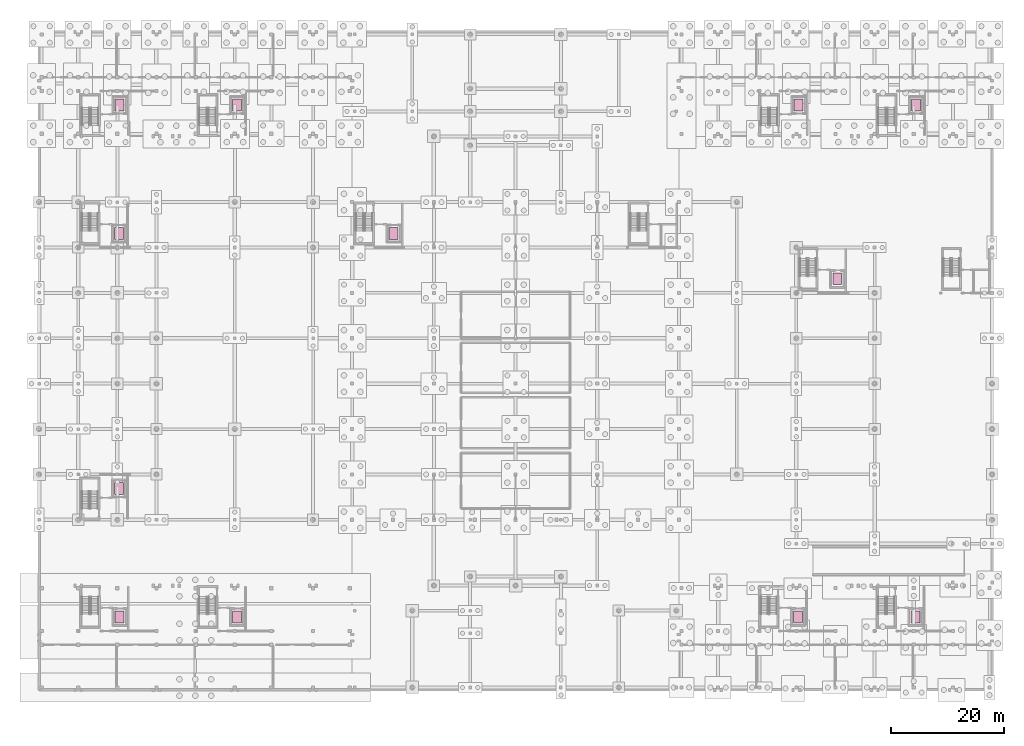
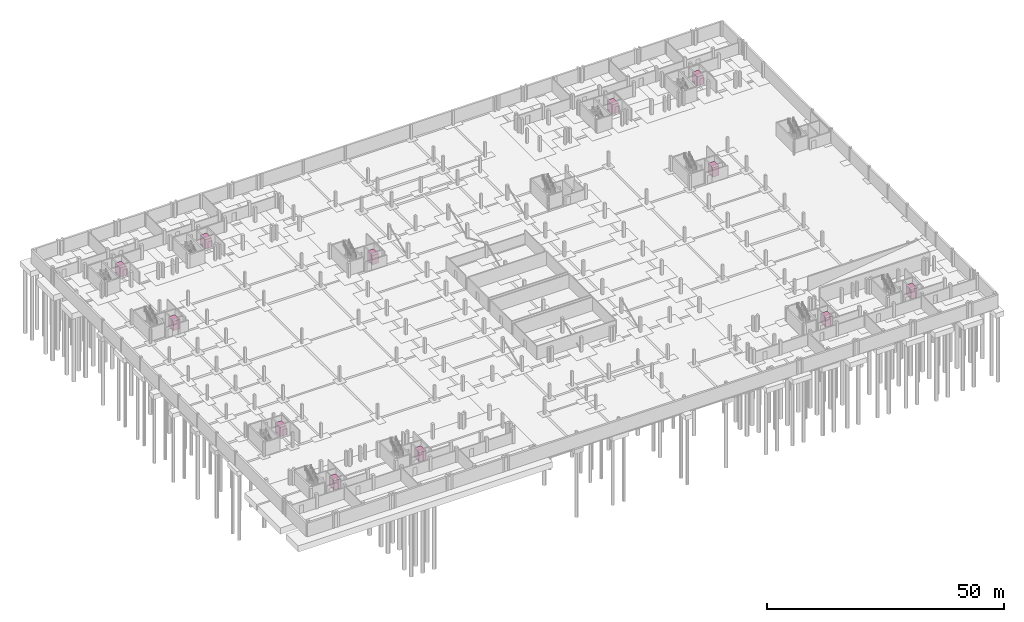
# One storey, part 38 of 38: 12 transport elements.
"""IFC4 building model written with IfcOpenShell, lengths in metres."""

import ifcopenshell
import ifcopenshell.guid

model = None  # the IFC model being written
_history = None  # IfcOwnerHistory: only IFC2X3 demands one
_inside = {}  # id of a spatial element -> (the spatial element, [elements in it])
_under = {}  # id of a project, library or spatial element -> (it, [spatial elements below it])
_declared = {}  # id of a project -> (the project, [libraries it declares])
_typed = {}  # id of a type object -> (the type object, [elements of that type])
_made_of = {}  # id of a material, layer set ... -> (it, [elements and type objects made of it])


def new_model(schema):
    """Start an empty IFC model of exactly this schema.

    Asked for "IFC4X3", IfcOpenShell would pick the latest addendum, in which some entities
    have other attributes; the version numbers below select the first issue.
    IFC2X3 requires an IfcOwnerHistory on every rooted entity: one is made here for all.
    """
    global model, _history
    if schema == "IFC4X3":
        model = ifcopenshell.file(schema_version=(4, 3, 0, 0))
    else:
        model = ifcopenshell.file(schema=schema)
    _inside.clear()
    _under.clear()
    _declared.clear()
    _typed.clear()
    _made_of.clear()
    _history = None
    if model.schema == "IFC2X3":
        org = make("IfcOrganization", Name="unknown")
        user = make(
            "IfcPersonAndOrganization",
            ThePerson=make("IfcPerson", FamilyName="unknown"),
            TheOrganization=org,
        )
        app = make(
            "IfcApplication",
            ApplicationDeveloper=org,
            Version="unknown",
            ApplicationFullName="unknown",
            ApplicationIdentifier="unknown",
        )
        _history = make(
            "IfcOwnerHistory",
            OwningUser=user,
            OwningApplication=app,
            ChangeAction="ADDED",
            CreationDate=0,
        )
    return model


def make(cls, **values):
    """One entity of the class cls with the attributes given. An attribute that is None is left unset."""
    return model.create_entity(
        cls, **{name: value for name, value in values.items() if value is not None}
    )


def rooted(cls, **values):
    """An entity with a GlobalId (a new one), such as an element, a storey or a relation."""
    return make(cls, GlobalId=ifcopenshell.guid.new(), OwnerHistory=_history, **values)


def si_unit(unit_type, name, prefix=None):
    """IfcSIUnit, for example si_unit("LENGTHUNIT", "METRE", prefix="MILLI")."""
    return make("IfcSIUnit", UnitType=unit_type, Prefix=prefix, Name=name)


def assignment(units):
    """IfcUnitAssignment: the units of a project."""
    return None if units is None else make("IfcUnitAssignment", Units=units)


def point(xyz):
    """IfcCartesianPoint."""
    return None if xyz is None else make("IfcCartesianPoint", Coordinates=xyz)


def direction(xyz):
    """IfcDirection."""
    return None if xyz is None else make("IfcDirection", DirectionRatios=xyz)


def frame(location, z_axis=None, x_axis=None):
    """IfcAxis2Placement3D, a coordinate frame: its origin and axes. An axis left out is left unset."""
    return make(
        "IfcAxis2Placement3D",
        Location=point(location),
        Axis=direction(z_axis),
        RefDirection=direction(x_axis),
    )


def frame_2d(location, x_axis=None):
    """IfcAxis2Placement2D, a coordinate frame in the plane: its origin and x axis."""
    return make(
        "IfcAxis2Placement2D", Location=point(location), RefDirection=direction(x_axis)
    )


def origin():
    """The frame at (0, 0, 0) with its axes left unset."""
    return frame((0.0, 0.0, 0.0))


def origin_2d():
    """The frame at (0, 0) in the plane with its x axis left unset."""
    return frame_2d((0.0, 0.0))


def place(relative_to, where):
    """IfcLocalPlacement: puts the frame where relative to a parent placement (None: the world)."""
    return make(
        "IfcLocalPlacement", PlacementRelTo=relative_to, RelativePlacement=where
    )


def context(
    kind, dimensions, precision=None, world=None, true_north=None, identifier=None
):
    """IfcGeometricRepresentationContext, for example the 3D "Model" context."""
    return make(
        "IfcGeometricRepresentationContext",
        ContextIdentifier=identifier,
        ContextType=kind,
        CoordinateSpaceDimension=dimensions,
        Precision=precision,
        WorldCoordinateSystem=world,
        TrueNorth=true_north,
    )


def subcontext(parent, identifier, kind, view, scale=None):
    """IfcGeometricRepresentationSubContext, for example "Body" below "Model"."""
    return make(
        "IfcGeometricRepresentationSubContext",
        ContextIdentifier=identifier,
        ContextType=kind,
        ParentContext=parent,
        TargetScale=scale,
        TargetView=view,
    )


def project(units=None, contexts=None):
    """IfcProject with its units and contexts."""
    return rooted(
        "IfcProject",
        Name="project",
        RepresentationContexts=contexts,
        UnitsInContext=assignment(units),
    )


def spatial(cls, under=None, at=None, **own):
    """A site, building, storey or space (cls), placed at a placement, below another one or the project."""
    s = rooted(cls, ObjectPlacement=at, **own)
    if under is not None:
        _under.setdefault(under.id(), (under, []))[1].append(s)
    return s


def profile(cls, at=None, kind="AREA", **sizes):
    """A parametric profile (cls). Its sizes go by their IFC names, for example OverallWidth=200.0."""
    return make(cls, ProfileType=kind, Position=at, **sizes)


def rectangle(**sizes):
    """IfcRectangleProfileDef."""
    return profile("IfcRectangleProfileDef", **sizes)


def extrude(swept, where, along, depth):
    """IfcExtrudedAreaSolid: the profile swept, set in the frame where, extruded along a direction by depth."""
    return make(
        "IfcExtrudedAreaSolid",
        SweptArea=swept,
        Position=where,
        ExtrudedDirection=direction(along),
        Depth=depth,
    )


def shape(context_of_items, identifier, shape_type, items):
    """IfcShapeRepresentation: the items that make up one representation, for example the "Body"."""
    return make(
        "IfcShapeRepresentation",
        ContextOfItems=context_of_items,
        RepresentationIdentifier=identifier,
        RepresentationType=shape_type,
        Items=items,
    )


def material(Name=None, Category=None):
    """IfcMaterial."""
    return make("IfcMaterial", Name=Name, Category=Category)


def made_of(thing, what):
    """Note that an element or type object is made of a material, layer set ...; save() writes the relation."""
    if what is not None:
        _made_of.setdefault(what.id(), (what, []))[1].append(thing)
    return thing


def type_object(cls, material=None, **own):
    """A type object (cls), such as IfcWallType, which elements share."""
    return made_of(rooted(cls, **own), material)


def element(
    cls,
    number,
    at=None,
    inside=None,
    cuts=None,
    type_object=None,
    material=None,
    context=None,
    identifier="Body",
    shape_type=None,
    held_by="IfcProductDefinitionShape",
    body=None,
    shapes=None,
    **own,
):
    """One element of the class cls, such as IfcWall. Its Tag is "e" and its number.

    at: its placement. inside: the storey or other place that contains it. cuts: it is an
    opening in that element (IfcRelVoidsElement). A single representation is given by context,
    identifier, shape_type and body (its items); several are given by shapes. held_by: the class
    of the entity that holds the representations. save() writes the other relations.
    """
    e = rooted(cls, Tag="e%d" % number, ObjectPlacement=at, **own)
    if body is not None:
        shapes = [shape(context, identifier, shape_type, body)]
    if shapes is not None:
        e.Representation = make(held_by, Representations=shapes)
    if inside is not None:
        _inside.setdefault(inside.id(), (inside, []))[1].append(e)
    if cuts is not None:
        rooted(
            "IfcRelVoidsElement", RelatingBuildingElement=cuts, RelatedOpeningElement=e
        )
    if type_object is not None:
        _typed.setdefault(type_object.id(), (type_object, []))[1].append(e)
    return made_of(e, material)


def aggregate(whole, parts):
    """IfcRelAggregates: a whole, such as a stair, and the parts it consists of."""
    return rooted("IfcRelAggregates", RelatingObject=whole, RelatedObjects=parts)


def save(model, path):
    """Write the relations noted so far, then the file.

    IfcRelAggregates (storeys below a building ...), IfcRelContainedInSpatialStructure (elements
    in a storey), IfcRelDefinesByType, IfcRelAssociatesMaterial and IfcRelDeclares: one each for
    every whole, place, type object, material and project.
    """
    for whole, parts in _under.values():
        aggregate(whole, parts)
    for where, things in _inside.values():
        rooted(
            "IfcRelContainedInSpatialStructure",
            RelatedElements=things,
            RelatingStructure=where,
        )
    for kind, things in _typed.values():
        rooted("IfcRelDefinesByType", RelatedObjects=things, RelatingType=kind)
    for what, things in _made_of.values():
        rooted("IfcRelAssociatesMaterial", RelatedObjects=things, RelatingMaterial=what)
    for by, libraries in _declared.values():
        rooted("IfcRelDeclares", RelatingContext=by, RelatedDefinitions=libraries)
    model.write(path)


model = new_model("IFC4")

# Units and contexts
model_context = context("Model", 3, precision=1e-05, world=origin(), true_north=direction((0.0, 1.0)))
body_context = subcontext(model_context, "Body", "Model", "MODEL_VIEW")
ifc_project = project(units=[si_unit("LENGTHUNIT", "METRE"), si_unit("AREAUNIT", "SQUARE_METRE"), si_unit("VOLUMEUNIT", "CUBIC_METRE"), si_unit("PLANEANGLEUNIT", "RADIAN"), si_unit("MASSUNIT", "GRAM", prefix="KILO")], contexts=[model_context])

# Site, building, storey
site_placement = place(None, origin())
site = spatial("IfcSite", under=ifc_project, at=site_placement, CompositionType="ELEMENT")
building_placement = place(site_placement, origin())
building = spatial("IfcBuilding", under=site, at=building_placement, Name="Zavelmont Quarter", CompositionType="ELEMENT")
storey_placement = place(building_placement, frame((0.0, 0.0, -3.800048828125)))
storey = spatial("IfcBuildingStorey", under=building, at=storey_placement, Name="B01", CompositionType="ELEMENT", Elevation=-3.800048828125)

# Transport elements
ifc_material = material(Name="Brushed stainless-steel lift car enclosure", Category="steel")
transport_element_type_1 = type_object("IfcTransportElementType", Name="LFT-FF", PredefinedType="ELEVATOR", material=ifc_material)
for number, where, z_axis, x_axis, name in (
    (1, (14.199951171875, 12.875, 0.0), (0.0, 0.0, 1.0), (1.0, 0.0, 0.0), "Firefighting lift FL01"),
    (2, (14.199951171875, 103.125, 0.0), (0.0, 0.0, 1.0), (1.0, 0.0, 0.0), "Firefighting lift FL02"),
    (3, (133.89990234375, 103.125, 0.0), (0.0, 0.0, 1.0), (1.0, 0.0, 0.0), "Firefighting lift FL03"),
    (4, (133.800048828125, 12.875, 0.0), (0.0, 0.0, 1.0), (1.0, 0.0, 0.0), "Firefighting lift FL04"),
):
    element("IfcTransportElement", number, at=place(storey_placement, frame(where, z_axis=z_axis, x_axis=x_axis)), inside=storey, type_object=transport_element_type_1, Name=name, PredefinedType="ELEVATOR", context=body_context, shape_type="SweptSolid", body=[
        extrude(rectangle(XDim=1.60009765625, YDim=2.10009765625, at=origin_2d()), origin(), (0.0, 0.0, 1.0), 2.39990234375),
    ])
transport_element_type_2 = type_object("IfcTransportElementType", Name="LFT-PAX", PredefinedType="ELEVATOR", material=ifc_material)
for number, where, z_axis, x_axis, name in (
    (5, (34.89990234375, 12.875, 0.0), (0.0, 0.0, 1.0), (1.0, 0.0, 0.0), "Passenger lift LF02"),
    (6, (34.89990234375, 103.125, 0.0), (0.0, 0.0, 1.0), (1.0, 0.0, 0.0), "Passenger lift LF04"),
    (7, (154.60009765625, 103.125, 0.0), (0.0, 0.0, 1.0), (1.0, 0.0, 0.0), "Passenger lift LF06"),
    (8, (154.5, 12.875, 0.0), (0.0, 0.0, 1.0), (1.0, 0.0, 0.0), "Passenger lift LF08"),
    (9, (62.5, 80.47509765625, 0.0), (0.0, 0.0, 1.0), (1.0, 0.0, 0.0), "Passenger lift LF09"),
    (10, (140.699951171875, 72.47509765625, 0.0), (0.0, 0.0, 1.0), (1.0, 0.0, 0.0), "Passenger lift LF10"),
    (11, (14.10009765625, 35.52490234375, 0.0), (0.0, 0.0, 1.0), (1.0, 0.0, 0.0), "Passenger lift LF11"),
    (12, (14.10009765625, 80.47509765625, 0.0), (0.0, 0.0, 1.0), (1.0, 0.0, 0.0), "Passenger lift LF12"),
):
    element("IfcTransportElement", number, at=place(storey_placement, frame(where, z_axis=z_axis, x_axis=x_axis)), inside=storey, type_object=transport_element_type_2, Name=name, PredefinedType="ELEVATOR", context=body_context, shape_type="SweptSolid", body=[
        extrude(rectangle(XDim=1.550048828125, YDim=2.050048828125, at=origin_2d()), origin(), (0.0, 0.0, 1.0), 2.39990234375),
    ])

save(model, "model.ifc")
